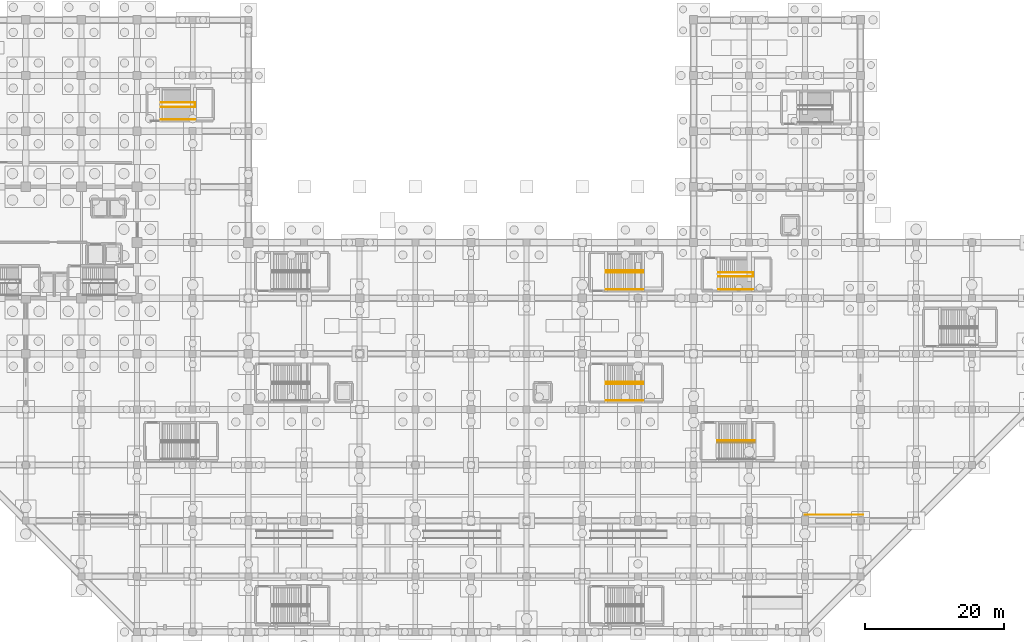
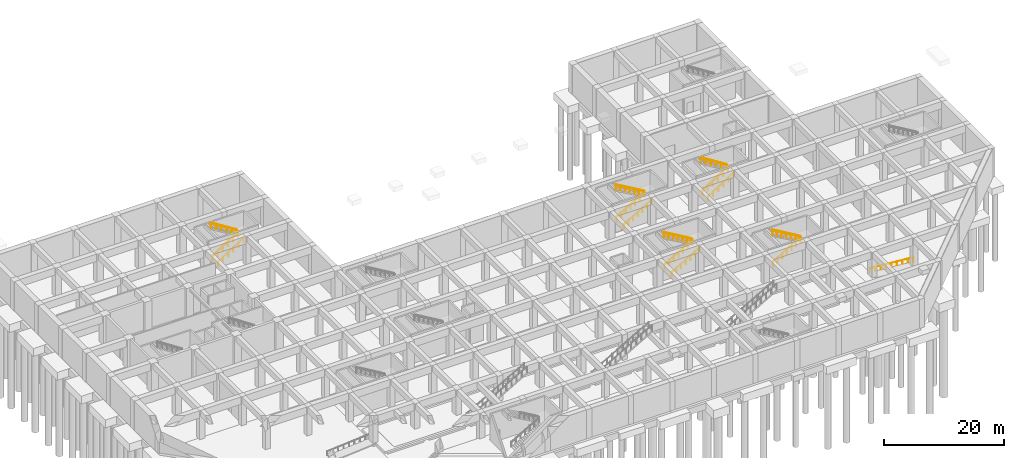
# One storey, part 24 of 26: 24 railings.
"""IFC4 building model written with IfcOpenShell, lengths in metres."""

from ifc_helpers import new_model, si_unit, direction, frame, origin, origin_2d, place, context, subcontext, project, spatial, circle, extrude, material, type_object, element, save


model = new_model("IFC4")

# Units and contexts
model_context = context("Model", 3, precision=1e-05, world=origin(), true_north=direction((0.0, 1.0)))
body_context = subcontext(model_context, "Body", "Model", "MODEL_VIEW")
ifc_project = project(units=[si_unit("LENGTHUNIT", "METRE"), si_unit("AREAUNIT", "SQUARE_METRE"), si_unit("VOLUMEUNIT", "CUBIC_METRE"), si_unit("PLANEANGLEUNIT", "RADIAN"), si_unit("MASSUNIT", "GRAM", prefix="KILO")], contexts=[model_context])

# Site, building, storey
site_placement = place(None, origin())
site = spatial("IfcSite", under=ifc_project, at=site_placement, CompositionType="ELEMENT")
building_placement = place(site_placement, origin())
building = spatial("IfcBuilding", under=site, at=building_placement, Name="Varnela Railside Interchange", CompositionType="ELEMENT")
storey_placement = place(building_placement, frame((0.0, 0.0, -12.60009765625)))
storey = spatial("IfcBuildingStorey", under=building, at=storey_placement, Name="B2", CompositionType="ELEMENT", Elevation=-12.60009765625)

# Railings
ifc_material = material(Name="Steel AR 350 (350 MPa)", Category="steel")
railing_type_1 = type_object("IfcRailingType", Name="Stair & Ramp Pitch Handrail HR-01", PredefinedType="HANDRAIL", material=ifc_material)
railing_1_placement = place(storey_placement, frame((119.60009765625, 57.10009765625, 0.0)))
element("IfcRailing", 1, at=railing_1_placement, inside=storey, type_object=railing_type_1, Name="Stair Handrail ST-E1 Flight 1 (RL-0043)", PredefinedType="HANDRAIL", context=body_context, shape_type="SweptSolid", body=[
    extrude(circle(Radius=0.02392578125, at=origin_2d()), frame((0.0, 0.0, 0.89599609375), z_axis=(0.842659969685, 0.0, 0.538446074821), x_axis=(0.0, 1.0, 0.0)), (0.0, 0.0, 1.0), 5.850341796875),
    extrude(circle(Radius=0.02099609375, at=origin_2d()), origin(), (0.0, 0.0, 1.0), 0.871826171875),
    extrude(circle(Radius=0.02099609375, at=origin_2d()), frame((0.986083984375, 0.0, 0.630126953125)), (0.0, 0.0, 1.0), 0.871826171875),
    extrude(circle(Radius=0.02099609375, at=origin_2d()), frame((1.971923828125, 0.0, 1.260009765625)), (0.0, 0.0, 1.0), 0.871826171875),
    extrude(circle(Radius=0.02099609375, at=origin_2d()), frame((2.9580078125, 0.0, 1.89013671875)), (0.0, 0.0, 1.0), 0.871826171875),
    extrude(circle(Radius=0.02099609375, at=origin_2d()), frame((3.94384765625, 0.0, 2.52001953125)), (0.0, 0.0, 1.0), 0.871826171875),
    extrude(circle(Radius=0.02099609375, at=origin_2d()), frame((4.929931640625, 0.0, 3.150146484375)), (0.0, 0.0, 1.0), 0.871826171875),
])
railing_2_placement = place(storey_placement, frame((124.530029296875, 57.699951171875, 3.150146484375)))
element("IfcRailing", 2, at=railing_2_placement, inside=storey, type_object=railing_type_1, Name="Stair Handrail ST-E1 Flight 2 (RL-0044)", PredefinedType="HANDRAIL", context=body_context, shape_type="SweptSolid", body=[
    extrude(circle(Radius=0.02392578125, at=origin_2d()), frame((0.0, 0.0, 0.89599609375), z_axis=(-0.842678903752, 0.0, 0.538416442144), x_axis=(0.0, -1.0, 0.0)), (0.0, 0.0, 1.0), 5.850341796875),
    extrude(circle(Radius=0.02099609375, at=origin_2d()), origin(), (0.0, 0.0, 1.0), 0.871826171875),
    extrude(circle(Radius=0.02099609375, at=origin_2d()), frame((-0.986083984375, 0.0, 0.6298828125)), (0.0, 0.0, 1.0), 0.871826171875),
    extrude(circle(Radius=0.02099609375, at=origin_2d()), frame((-1.971923828125, 0.0, 1.260009765625)), (0.0, 0.0, 1.0), 0.871826171875),
    extrude(circle(Radius=0.02099609375, at=origin_2d()), frame((-2.9580078125, 0.0, 1.889892578125)), (0.0, 0.0, 1.0), 0.871826171875),
    extrude(circle(Radius=0.02099609375, at=origin_2d()), frame((-3.94384765625, 0.0, 2.52001953125)), (0.0, 0.0, 1.0), 0.871826171875),
    extrude(circle(Radius=0.02099609375, at=origin_2d()), frame((-4.929931640625, 0.0, 3.14990234375)), (0.0, 0.0, 1.0), 0.871826171875),
])
railing_3_placement = place(storey_placement, frame((103.39990234375, 41.64990234375, 0.0)))
element("IfcRailing", 3, at=railing_3_placement, inside=storey, type_object=railing_type_1, Name="Stair Handrail ST-C2 Flight 1 (RL-0037)", PredefinedType="HANDRAIL", context=body_context, shape_type="SweptSolid", body=[
    extrude(circle(Radius=0.02392578125, at=origin_2d()), frame((0.0, 0.0, 0.89599609375), z_axis=(0.861923102912, 0.0, 0.507039016908), x_axis=(0.0, 1.0, 0.0)), (0.0, 0.0, 1.0), 6.212890625),
    extrude(circle(Radius=0.02099609375, at=origin_2d()), origin(), (0.0, 0.0, 1.0), 0.871826171875),
    extrude(circle(Radius=0.02099609375, at=origin_2d()), frame((0.892578125, 0.0, 0.52490234375)), (0.0, 0.0, 1.0), 0.871826171875),
    extrude(circle(Radius=0.02099609375, at=origin_2d()), frame((1.784912109375, 0.0, 1.050048828125)), (0.0, 0.0, 1.0), 0.871826171875),
    extrude(circle(Radius=0.02099609375, at=origin_2d()), frame((2.677490234375, 0.0, 1.5751953125)), (0.0, 0.0, 1.0), 0.871826171875),
    extrude(circle(Radius=0.02099609375, at=origin_2d()), frame((3.570068359375, 0.0, 2.10009765625)), (0.0, 0.0, 1.0), 0.871826171875),
    extrude(circle(Radius=0.02099609375, at=origin_2d()), frame((4.46240234375, 0.0, 2.625)), (0.0, 0.0, 1.0), 0.871826171875),
    extrude(circle(Radius=0.02099609375, at=origin_2d()), frame((5.35498046875, 0.0, 3.150146484375)), (0.0, 0.0, 1.0), 0.871826171875),
])
railing_4_placement = place(storey_placement, frame((108.7548828125, 41.949951171875, 3.150146484375)))
element("IfcRailing", 4, at=railing_4_placement, inside=storey, type_object=railing_type_1, Name="Stair Handrail ST-C2 Flight 2 (RL-0038)", PredefinedType="HANDRAIL", context=body_context, shape_type="SweptSolid", body=[
    extrude(circle(Radius=0.02392578125, at=origin_2d()), frame((0.0, 0.0, 0.89599609375), z_axis=(-0.861940276329, 0.0, 0.507009822431), x_axis=(0.0, -1.0, 0.0)), (0.0, 0.0, 1.0), 6.212646484375),
    extrude(circle(Radius=0.02099609375, at=origin_2d()), origin(), (0.0, 0.0, 1.0), 0.871826171875),
    extrude(circle(Radius=0.02099609375, at=origin_2d()), frame((-0.892578125, 0.0, 0.52490234375)), (0.0, 0.0, 1.0), 0.871826171875),
    extrude(circle(Radius=0.02099609375, at=origin_2d()), frame((-1.784912109375, 0.0, 1.050048828125)), (0.0, 0.0, 1.0), 0.871826171875),
    extrude(circle(Radius=0.02099609375, at=origin_2d()), frame((-2.677490234375, 0.0, 1.574951171875)), (0.0, 0.0, 1.0), 0.871826171875),
    extrude(circle(Radius=0.02099609375, at=origin_2d()), frame((-3.570068359375, 0.0, 2.099853515625)), (0.0, 0.0, 1.0), 0.871826171875),
    extrude(circle(Radius=0.02099609375, at=origin_2d()), frame((-4.46240234375, 0.0, 2.625)), (0.0, 0.0, 1.0), 0.871826171875),
    extrude(circle(Radius=0.02099609375, at=origin_2d()), frame((-5.35498046875, 0.0, 3.14990234375)), (0.0, 0.0, 1.0), 0.871826171875),
])
railing_5_placement = place(storey_placement, frame((103.39990234375, 57.64990234375, 0.0)))
element("IfcRailing", 5, at=railing_5_placement, inside=storey, type_object=railing_type_1, Name="Stair Handrail ST-C4 Flight 1 (RL-0041)", PredefinedType="HANDRAIL", context=body_context, shape_type="SweptSolid", body=[
    extrude(circle(Radius=0.02392578125, at=origin_2d()), frame((0.0, 0.0, 0.89599609375), z_axis=(0.861923102912, 0.0, 0.507039016908), x_axis=(0.0, 1.0, 0.0)), (0.0, 0.0, 1.0), 6.212890625),
    extrude(circle(Radius=0.02099609375, at=origin_2d()), origin(), (0.0, 0.0, 1.0), 0.871826171875),
    extrude(circle(Radius=0.02099609375, at=origin_2d()), frame((0.892578125, 0.0, 0.52490234375)), (0.0, 0.0, 1.0), 0.871826171875),
    extrude(circle(Radius=0.02099609375, at=origin_2d()), frame((1.784912109375, 0.0, 1.050048828125)), (0.0, 0.0, 1.0), 0.871826171875),
    extrude(circle(Radius=0.02099609375, at=origin_2d()), frame((2.677490234375, 0.0, 1.5751953125)), (0.0, 0.0, 1.0), 0.871826171875),
    extrude(circle(Radius=0.02099609375, at=origin_2d()), frame((3.570068359375, 0.0, 2.10009765625)), (0.0, 0.0, 1.0), 0.871826171875),
    extrude(circle(Radius=0.02099609375, at=origin_2d()), frame((4.46240234375, 0.0, 2.625)), (0.0, 0.0, 1.0), 0.871826171875),
    extrude(circle(Radius=0.02099609375, at=origin_2d()), frame((5.35498046875, 0.0, 3.150146484375)), (0.0, 0.0, 1.0), 0.871826171875),
])
for number, where, name in (
    (6, (108.7548828125, 57.949951171875, 3.150146484375), "Stair Handrail ST-C4 Flight 2 (RL-0042)"),
    (7, (124.7548828125, 33.550048828125, 3.150146484375), "Stair Handrail ST-M2 Flight 2 (RL-0052)"),
):
    element("IfcRailing", number, at=place(storey_placement, frame(where)), inside=storey, type_object=railing_type_1, Name=name, PredefinedType="HANDRAIL", context=body_context, shape_type="SweptSolid", body=[
        extrude(circle(Radius=0.02392578125, at=origin_2d()), frame((0.0, 0.0, 0.89599609375), z_axis=(-0.861940276329, 0.0, 0.507009822431), x_axis=(0.0, -1.0, 0.0)), (0.0, 0.0, 1.0), 6.212646484375),
        extrude(circle(Radius=0.02099609375, at=origin_2d()), origin(), (0.0, 0.0, 1.0), 0.871826171875),
        extrude(circle(Radius=0.02099609375, at=origin_2d()), frame((-0.892578125, 0.0, 0.52490234375)), (0.0, 0.0, 1.0), 0.871826171875),
        extrude(circle(Radius=0.02099609375, at=origin_2d()), frame((-1.784912109375, 0.0, 1.050048828125)), (0.0, 0.0, 1.0), 0.871826171875),
        extrude(circle(Radius=0.02099609375, at=origin_2d()), frame((-2.677490234375, 0.0, 1.574951171875)), (0.0, 0.0, 1.0), 0.871826171875),
        extrude(circle(Radius=0.02099609375, at=origin_2d()), frame((-3.570068359375, 0.0, 2.099853515625)), (0.0, 0.0, 1.0), 0.871826171875),
        extrude(circle(Radius=0.02099609375, at=origin_2d()), frame((-4.46240234375, 0.0, 2.625)), (0.0, 0.0, 1.0), 0.871826171875),
        extrude(circle(Radius=0.02099609375, at=origin_2d()), frame((-5.35498046875, 0.0, 3.14990234375)), (0.0, 0.0, 1.0), 0.871826171875),
    ])
railing_6_placement = place(storey_placement, frame((39.39990234375, 81.5, 0.0)))
element("IfcRailing", 8, at=railing_6_placement, inside=storey, type_object=railing_type_1, Name="Stair Handrail ST-W1 Flight 1 (RL-0061)", PredefinedType="HANDRAIL", context=body_context, shape_type="SweptSolid", body=[
    extrude(circle(Radius=0.02392578125, at=origin_2d()), frame((0.0, 0.0, 0.89599609375), z_axis=(0.84267206767, 0.0, 0.538427141188), x_axis=(0.0, 1.0, 0.0)), (0.0, 0.0, 1.0), 5.8505859375),
    extrude(circle(Radius=0.02099609375, at=origin_2d()), origin(), (0.0, 0.0, 1.0), 0.871826171875),
    extrude(circle(Radius=0.02099609375, at=origin_2d()), frame((0.986083984375, 0.0, 0.630126953125)), (0.0, 0.0, 1.0), 0.871826171875),
    extrude(circle(Radius=0.02099609375, at=origin_2d()), frame((1.97216796875, 0.0, 1.260009765625)), (0.0, 0.0, 1.0), 0.871826171875),
    extrude(circle(Radius=0.02099609375, at=origin_2d()), frame((2.9580078125, 0.0, 1.89013671875)), (0.0, 0.0, 1.0), 0.871826171875),
    extrude(circle(Radius=0.02099609375, at=origin_2d()), frame((3.944091796875, 0.0, 2.52001953125)), (0.0, 0.0, 1.0), 0.871826171875),
    extrude(circle(Radius=0.02099609375, at=origin_2d()), frame((4.93017578125, 0.0, 3.150146484375)), (0.0, 0.0, 1.0), 0.871826171875),
])
railing_7_placement = place(storey_placement, frame((44.330078125, 82.10009765625, 3.150146484375)))
element("IfcRailing", 9, at=railing_7_placement, inside=storey, type_object=railing_type_1, Name="Stair Handrail ST-W1 Flight 2 (RL-0062)", PredefinedType="HANDRAIL", context=body_context, shape_type="SweptSolid", body=[
    extrude(circle(Radius=0.02392578125, at=origin_2d()), frame((0.0, 0.0, 0.89599609375), z_axis=(-0.842691000677, 0.0, 0.538397508703), x_axis=(0.0, -1.0, 0.0)), (0.0, 0.0, 1.0), 5.8505859375),
    extrude(circle(Radius=0.02099609375, at=origin_2d()), origin(), (0.0, 0.0, 1.0), 0.871826171875),
    extrude(circle(Radius=0.02099609375, at=origin_2d()), frame((-0.986083984375, 0.0, 0.6298828125)), (0.0, 0.0, 1.0), 0.871826171875),
    extrude(circle(Radius=0.02099609375, at=origin_2d()), frame((-1.97216796875, 0.0, 1.260009765625)), (0.0, 0.0, 1.0), 0.871826171875),
    extrude(circle(Radius=0.02099609375, at=origin_2d()), frame((-2.9580078125, 0.0, 1.889892578125)), (0.0, 0.0, 1.0), 0.871826171875),
    extrude(circle(Radius=0.02099609375, at=origin_2d()), frame((-3.944091796875, 0.0, 2.52001953125)), (0.0, 0.0, 1.0), 0.871826171875),
    extrude(circle(Radius=0.02099609375, at=origin_2d()), frame((-4.93017578125, 0.0, 3.14990234375)), (0.0, 0.0, 1.0), 0.871826171875),
])
railing_8_placement = place(storey_placement, frame((140.39990234375, 22.85009765625, 0.0)))
element("IfcRailing", 10, at=railing_8_placement, inside=storey, type_object=railing_type_1, Name="Metro Platform Ramp Handrail pltI-E (RL-0063)", PredefinedType="HANDRAIL", context=body_context, shape_type="SweptSolid", body=[
    extrude(circle(Radius=0.02392578125, at=origin_2d()), frame((0.0, 0.0, 0.89599609375), z_axis=(-0.996543760423, 0.0, 0.083069450238), x_axis=(0.0, -1.0, 0.0)), (0.0, 0.0, 1.0), 8.428955078125),
    extrude(circle(Radius=0.02099609375, at=origin_2d()), origin(), (0.0, 0.0, 1.0), 0.871826171875),
    extrude(circle(Radius=0.02099609375, at=origin_2d()), frame((-1.050048828125, 0.0, 0.08740234375)), (0.0, 0.0, 1.0), 0.871826171875),
    extrude(circle(Radius=0.02099609375, at=origin_2d()), frame((-2.10009765625, 0.0, 0.175048828125)), (0.0, 0.0, 1.0), 0.871826171875),
    extrude(circle(Radius=0.02099609375, at=origin_2d()), frame((-3.14990234375, 0.0, 0.2626953125)), (0.0, 0.0, 1.0), 0.871826171875),
    extrude(circle(Radius=0.02099609375, at=origin_2d()), frame((-4.199951171875, 0.0, 0.35009765625)), (0.0, 0.0, 1.0), 0.871826171875),
    extrude(circle(Radius=0.02099609375, at=origin_2d()), frame((-5.25, 0.0, 0.4375)), (0.0, 0.0, 1.0), 0.871826171875),
    extrude(circle(Radius=0.02099609375, at=origin_2d()), frame((-6.2998046875, 0.0, 0.525146484375)), (0.0, 0.0, 1.0), 0.871826171875),
    extrude(circle(Radius=0.02099609375, at=origin_2d()), frame((-7.349853515625, 0.0, 0.61279296875)), (0.0, 0.0, 1.0), 0.871826171875),
    extrude(circle(Radius=0.02099609375, at=origin_2d()), frame((-8.39990234375, 0.0, 0.7001953125)), (0.0, 0.0, 1.0), 0.871826171875),
])
railing_type_2 = type_object("IfcRailingType", Name="Stair Well & Landing Guard GR-02", PredefinedType="GUARDRAIL", material=ifc_material)
railing_9_placement = place(storey_placement, frame((119.60009765625, 57.10009765625, 0.0)))
element("IfcRailing", 11, at=railing_9_placement, inside=storey, type_object=railing_type_2, Name="Stair Guard ST-E1 Half-Landing (RL-0009)", PredefinedType="GUARDRAIL", context=body_context, shape_type="SweptSolid", body=[
    extrude(circle(Radius=0.02392578125, at=origin_2d()), frame((0.0, 0.0, 1.09619140625), z_axis=(0.842659969685, 0.0, 0.538446074821), x_axis=(0.0, 1.0, 0.0)), (0.0, 0.0, 1.0), 5.850341796875),
    extrude(circle(Radius=0.02392578125, at=origin_2d()), frame((4.929931640625, 0.0, 4.24609375), z_axis=(0.0, 1.0, 0.0), x_axis=(-1.0, 0.0, 0.0)), (0.0, 0.0, 1.0), 0.599853515625),
    extrude(circle(Radius=0.02099609375, at=origin_2d()), origin(), (0.0, 0.0, 1.0), 1.072021484375),
    extrude(circle(Radius=0.02099609375, at=origin_2d()), frame((0.986083984375, 0.0, 0.630126953125)), (0.0, 0.0, 1.0), 1.072021484375),
    extrude(circle(Radius=0.02099609375, at=origin_2d()), frame((1.971923828125, 0.0, 1.260009765625)), (0.0, 0.0, 1.0), 1.072021484375),
    extrude(circle(Radius=0.02099609375, at=origin_2d()), frame((2.9580078125, 0.0, 1.89013671875)), (0.0, 0.0, 1.0), 1.072021484375),
    extrude(circle(Radius=0.02099609375, at=origin_2d()), frame((3.94384765625, 0.0, 2.52001953125)), (0.0, 0.0, 1.0), 1.072021484375),
    extrude(circle(Radius=0.02099609375, at=origin_2d()), frame((4.929931640625, 0.0, 3.150146484375)), (0.0, 0.0, 1.0), 1.072021484375),
    extrude(circle(Radius=0.02099609375, at=origin_2d()), frame((4.929931640625, 0.599853515625, 3.150146484375)), (0.0, 0.0, 1.0), 1.072021484375),
])
railing_10_placement = place(storey_placement, frame((124.530029296875, 57.699951171875, 3.150146484375)))
element("IfcRailing", 12, at=railing_10_placement, inside=storey, type_object=railing_type_2, Name="Stair Guard ST-E1 Upper Flight (RL-0010)", PredefinedType="GUARDRAIL", context=body_context, shape_type="SweptSolid", body=[
    extrude(circle(Radius=0.02392578125, at=origin_2d()), frame((0.0, 0.0, 1.09619140625), z_axis=(-0.842678903752, 0.0, 0.538416442144), x_axis=(0.0, -1.0, 0.0)), (0.0, 0.0, 1.0), 5.850341796875),
    extrude(circle(Radius=0.02099609375, at=origin_2d()), origin(), (0.0, 0.0, 1.0), 1.072021484375),
    extrude(circle(Radius=0.02099609375, at=origin_2d()), frame((-0.986083984375, 0.0, 0.6298828125)), (0.0, 0.0, 1.0), 1.072021484375),
    extrude(circle(Radius=0.02099609375, at=origin_2d()), frame((-1.971923828125, 0.0, 1.260009765625)), (0.0, 0.0, 1.0), 1.072021484375),
    extrude(circle(Radius=0.02099609375, at=origin_2d()), frame((-2.9580078125, 0.0, 1.889892578125)), (0.0, 0.0, 1.0), 1.072021484375),
    extrude(circle(Radius=0.02099609375, at=origin_2d()), frame((-3.94384765625, 0.0, 2.52001953125)), (0.0, 0.0, 1.0), 1.072021484375),
    extrude(circle(Radius=0.02099609375, at=origin_2d()), frame((-4.929931640625, 0.0, 3.14990234375)), (0.0, 0.0, 1.0), 1.072021484375),
])
railing_11_placement = place(storey_placement, frame((103.39990234375, 41.64990234375, 0.0)))
element("IfcRailing", 13, at=railing_11_placement, inside=storey, type_object=railing_type_2, Name="Stair Guard ST-C2 Half-Landing (RL-0003)", PredefinedType="GUARDRAIL", context=body_context, shape_type="SweptSolid", body=[
    extrude(circle(Radius=0.02392578125, at=origin_2d()), frame((0.0, 0.0, 1.09619140625), z_axis=(0.861923102912, 0.0, 0.507039016908), x_axis=(0.0, 1.0, 0.0)), (0.0, 0.0, 1.0), 6.212890625),
    extrude(circle(Radius=0.02392578125, at=origin_2d()), frame((5.35498046875, 0.0, 4.24609375), z_axis=(0.0, 1.0, 0.0), x_axis=(-1.0, 0.0, 0.0)), (0.0, 0.0, 1.0), 0.300048828125),
    extrude(circle(Radius=0.02099609375, at=origin_2d()), origin(), (0.0, 0.0, 1.0), 1.072021484375),
    extrude(circle(Radius=0.02099609375, at=origin_2d()), frame((0.892578125, 0.0, 0.52490234375)), (0.0, 0.0, 1.0), 1.072021484375),
    extrude(circle(Radius=0.02099609375, at=origin_2d()), frame((1.784912109375, 0.0, 1.050048828125)), (0.0, 0.0, 1.0), 1.072021484375),
    extrude(circle(Radius=0.02099609375, at=origin_2d()), frame((2.677490234375, 0.0, 1.5751953125)), (0.0, 0.0, 1.0), 1.072021484375),
    extrude(circle(Radius=0.02099609375, at=origin_2d()), frame((3.570068359375, 0.0, 2.10009765625)), (0.0, 0.0, 1.0), 1.072021484375),
    extrude(circle(Radius=0.02099609375, at=origin_2d()), frame((4.46240234375, 0.0, 2.625)), (0.0, 0.0, 1.0), 1.072021484375),
    extrude(circle(Radius=0.02099609375, at=origin_2d()), frame((5.35498046875, 0.0, 3.150146484375)), (0.0, 0.0, 1.0), 1.072021484375),
    extrude(circle(Radius=0.02099609375, at=origin_2d()), frame((5.35498046875, 0.300048828125, 3.150146484375)), (0.0, 0.0, 1.0), 1.072021484375),
])
railing_12_placement = place(storey_placement, frame((108.7548828125, 41.949951171875, 3.150146484375)))
element("IfcRailing", 14, at=railing_12_placement, inside=storey, type_object=railing_type_2, Name="Stair Guard ST-C2 Upper Flight (RL-0004)", PredefinedType="GUARDRAIL", context=body_context, shape_type="SweptSolid", body=[
    extrude(circle(Radius=0.02392578125, at=origin_2d()), frame((0.0, 0.0, 1.09619140625), z_axis=(-0.861940276329, 0.0, 0.507009822431), x_axis=(0.0, -1.0, 0.0)), (0.0, 0.0, 1.0), 6.212646484375),
    extrude(circle(Radius=0.02099609375, at=origin_2d()), origin(), (0.0, 0.0, 1.0), 1.072021484375),
    extrude(circle(Radius=0.02099609375, at=origin_2d()), frame((-0.892578125, 0.0, 0.52490234375)), (0.0, 0.0, 1.0), 1.072021484375),
    extrude(circle(Radius=0.02099609375, at=origin_2d()), frame((-1.784912109375, 0.0, 1.050048828125)), (0.0, 0.0, 1.0), 1.072021484375),
    extrude(circle(Radius=0.02099609375, at=origin_2d()), frame((-2.677490234375, 0.0, 1.574951171875)), (0.0, 0.0, 1.0), 1.072021484375),
    extrude(circle(Radius=0.02099609375, at=origin_2d()), frame((-3.570068359375, 0.0, 2.099853515625)), (0.0, 0.0, 1.0), 1.072021484375),
    extrude(circle(Radius=0.02099609375, at=origin_2d()), frame((-4.46240234375, 0.0, 2.625)), (0.0, 0.0, 1.0), 1.072021484375),
    extrude(circle(Radius=0.02099609375, at=origin_2d()), frame((-5.35498046875, 0.0, 3.14990234375)), (0.0, 0.0, 1.0), 1.072021484375),
])
railing_13_placement = place(storey_placement, frame((103.39990234375, 57.64990234375, 0.0)))
element("IfcRailing", 15, at=railing_13_placement, inside=storey, type_object=railing_type_2, Name="Stair Guard ST-C4 Half-Landing (RL-0007)", PredefinedType="GUARDRAIL", context=body_context, shape_type="SweptSolid", body=[
    extrude(circle(Radius=0.02392578125, at=origin_2d()), frame((0.0, 0.0, 1.09619140625), z_axis=(0.861923102912, 0.0, 0.507039016908), x_axis=(0.0, 1.0, 0.0)), (0.0, 0.0, 1.0), 6.212890625),
    extrude(circle(Radius=0.02392578125, at=origin_2d()), frame((5.35498046875, 0.0, 4.24609375), z_axis=(0.0, 1.0, 0.0), x_axis=(-1.0, 0.0, 0.0)), (0.0, 0.0, 1.0), 0.300048828125),
    extrude(circle(Radius=0.02099609375, at=origin_2d()), origin(), (0.0, 0.0, 1.0), 1.072021484375),
    extrude(circle(Radius=0.02099609375, at=origin_2d()), frame((0.892578125, 0.0, 0.52490234375)), (0.0, 0.0, 1.0), 1.072021484375),
    extrude(circle(Radius=0.02099609375, at=origin_2d()), frame((1.784912109375, 0.0, 1.050048828125)), (0.0, 0.0, 1.0), 1.072021484375),
    extrude(circle(Radius=0.02099609375, at=origin_2d()), frame((2.677490234375, 0.0, 1.5751953125)), (0.0, 0.0, 1.0), 1.072021484375),
    extrude(circle(Radius=0.02099609375, at=origin_2d()), frame((3.570068359375, 0.0, 2.10009765625)), (0.0, 0.0, 1.0), 1.072021484375),
    extrude(circle(Radius=0.02099609375, at=origin_2d()), frame((4.46240234375, 0.0, 2.625)), (0.0, 0.0, 1.0), 1.072021484375),
    extrude(circle(Radius=0.02099609375, at=origin_2d()), frame((5.35498046875, 0.0, 3.150146484375)), (0.0, 0.0, 1.0), 1.072021484375),
    extrude(circle(Radius=0.02099609375, at=origin_2d()), frame((5.35498046875, 0.300048828125, 3.150146484375)), (0.0, 0.0, 1.0), 1.072021484375),
])
railing_14_placement = place(storey_placement, frame((108.7548828125, 57.949951171875, 3.150146484375)))
element("IfcRailing", 16, at=railing_14_placement, inside=storey, type_object=railing_type_2, Name="Stair Guard ST-C4 Upper Flight (RL-0008)", PredefinedType="GUARDRAIL", context=body_context, shape_type="SweptSolid", body=[
    extrude(circle(Radius=0.02392578125, at=origin_2d()), frame((0.0, 0.0, 1.09619140625), z_axis=(-0.861940276329, 0.0, 0.507009822431), x_axis=(0.0, -1.0, 0.0)), (0.0, 0.0, 1.0), 6.212646484375),
    extrude(circle(Radius=0.02099609375, at=origin_2d()), origin(), (0.0, 0.0, 1.0), 1.072021484375),
    extrude(circle(Radius=0.02099609375, at=origin_2d()), frame((-0.892578125, 0.0, 0.52490234375)), (0.0, 0.0, 1.0), 1.072021484375),
    extrude(circle(Radius=0.02099609375, at=origin_2d()), frame((-1.784912109375, 0.0, 1.050048828125)), (0.0, 0.0, 1.0), 1.072021484375),
    extrude(circle(Radius=0.02099609375, at=origin_2d()), frame((-2.677490234375, 0.0, 1.574951171875)), (0.0, 0.0, 1.0), 1.072021484375),
    extrude(circle(Radius=0.02099609375, at=origin_2d()), frame((-3.570068359375, 0.0, 2.099853515625)), (0.0, 0.0, 1.0), 1.072021484375),
    extrude(circle(Radius=0.02099609375, at=origin_2d()), frame((-4.46240234375, 0.0, 2.625)), (0.0, 0.0, 1.0), 1.072021484375),
    extrude(circle(Radius=0.02099609375, at=origin_2d()), frame((-5.35498046875, 0.0, 3.14990234375)), (0.0, 0.0, 1.0), 1.072021484375),
])
railing_15_placement = place(storey_placement, frame((119.39990234375, 33.25, 0.0)))
element("IfcRailing", 17, at=railing_15_placement, inside=storey, type_object=railing_type_2, Name="Stair Guard ST-M2 Half-Landing (RL-0017)", PredefinedType="GUARDRAIL", context=body_context, shape_type="SweptSolid", body=[
    extrude(circle(Radius=0.02392578125, at=origin_2d()), frame((0.0, 0.0, 1.09619140625), z_axis=(0.861923102912, 0.0, 0.507039016908), x_axis=(0.0, 1.0, 0.0)), (0.0, 0.0, 1.0), 6.212890625),
    extrude(circle(Radius=0.02392578125, at=origin_2d()), frame((5.35498046875, 0.0, 4.24609375), z_axis=(0.0, 1.0, 0.0), x_axis=(-1.0, 0.0, 0.0)), (0.0, 0.0, 1.0), 0.300048828125),
    extrude(circle(Radius=0.02099609375, at=origin_2d()), origin(), (0.0, 0.0, 1.0), 1.072021484375),
    extrude(circle(Radius=0.02099609375, at=origin_2d()), frame((0.892578125, 0.0, 0.52490234375)), (0.0, 0.0, 1.0), 1.072021484375),
    extrude(circle(Radius=0.02099609375, at=origin_2d()), frame((1.784912109375, 0.0, 1.050048828125)), (0.0, 0.0, 1.0), 1.072021484375),
    extrude(circle(Radius=0.02099609375, at=origin_2d()), frame((2.677490234375, 0.0, 1.5751953125)), (0.0, 0.0, 1.0), 1.072021484375),
    extrude(circle(Radius=0.02099609375, at=origin_2d()), frame((3.570068359375, 0.0, 2.10009765625)), (0.0, 0.0, 1.0), 1.072021484375),
    extrude(circle(Radius=0.02099609375, at=origin_2d()), frame((4.46240234375, 0.0, 2.625)), (0.0, 0.0, 1.0), 1.072021484375),
    extrude(circle(Radius=0.02099609375, at=origin_2d()), frame((5.35498046875, 0.0, 3.150146484375)), (0.0, 0.0, 1.0), 1.072021484375),
    extrude(circle(Radius=0.02099609375, at=origin_2d()), frame((5.35498046875, 0.300048828125, 3.150146484375)), (0.0, 0.0, 1.0), 1.072021484375),
])
railing_16_placement = place(storey_placement, frame((124.7548828125, 33.550048828125, 3.150146484375)))
element("IfcRailing", 18, at=railing_16_placement, inside=storey, type_object=railing_type_2, Name="Stair Guard ST-M2 Upper Flight (RL-0018)", PredefinedType="GUARDRAIL", context=body_context, shape_type="SweptSolid", body=[
    extrude(circle(Radius=0.02392578125, at=origin_2d()), frame((0.0, 0.0, 1.09619140625), z_axis=(-0.861940276329, 0.0, 0.507009822431), x_axis=(0.0, -1.0, 0.0)), (0.0, 0.0, 1.0), 6.212646484375),
    extrude(circle(Radius=0.02099609375, at=origin_2d()), origin(), (0.0, 0.0, 1.0), 1.072021484375),
    extrude(circle(Radius=0.02099609375, at=origin_2d()), frame((-0.892578125, 0.0, 0.52490234375)), (0.0, 0.0, 1.0), 1.072021484375),
    extrude(circle(Radius=0.02099609375, at=origin_2d()), frame((-1.784912109375, 0.0, 1.050048828125)), (0.0, 0.0, 1.0), 1.072021484375),
    extrude(circle(Radius=0.02099609375, at=origin_2d()), frame((-2.677490234375, 0.0, 1.574951171875)), (0.0, 0.0, 1.0), 1.072021484375),
    extrude(circle(Radius=0.02099609375, at=origin_2d()), frame((-3.570068359375, 0.0, 2.099853515625)), (0.0, 0.0, 1.0), 1.072021484375),
    extrude(circle(Radius=0.02099609375, at=origin_2d()), frame((-4.46240234375, 0.0, 2.625)), (0.0, 0.0, 1.0), 1.072021484375),
    extrude(circle(Radius=0.02099609375, at=origin_2d()), frame((-5.35498046875, 0.0, 3.14990234375)), (0.0, 0.0, 1.0), 1.072021484375),
])
railing_17_placement = place(storey_placement, frame((39.39990234375, 81.5, 0.0)))
element("IfcRailing", 19, at=railing_17_placement, inside=storey, type_object=railing_type_2, Name="Stair Guard ST-W1 Half-Landing (RL-0027)", PredefinedType="GUARDRAIL", context=body_context, shape_type="SweptSolid", body=[
    extrude(circle(Radius=0.02392578125, at=origin_2d()), frame((0.0, 0.0, 1.09619140625), z_axis=(0.84267206767, 0.0, 0.538427141188), x_axis=(0.0, 1.0, 0.0)), (0.0, 0.0, 1.0), 5.8505859375),
    extrude(circle(Radius=0.02392578125, at=origin_2d()), frame((4.93017578125, 0.0, 4.24609375), z_axis=(0.0, 1.0, 0.0), x_axis=(-1.0, 0.0, 0.0)), (0.0, 0.0, 1.0), 0.60009765625),
    extrude(circle(Radius=0.02099609375, at=origin_2d()), origin(), (0.0, 0.0, 1.0), 1.072021484375),
    extrude(circle(Radius=0.02099609375, at=origin_2d()), frame((0.986083984375, 0.0, 0.630126953125)), (0.0, 0.0, 1.0), 1.072021484375),
    extrude(circle(Radius=0.02099609375, at=origin_2d()), frame((1.97216796875, 0.0, 1.260009765625)), (0.0, 0.0, 1.0), 1.072021484375),
    extrude(circle(Radius=0.02099609375, at=origin_2d()), frame((2.9580078125, 0.0, 1.89013671875)), (0.0, 0.0, 1.0), 1.072021484375),
    extrude(circle(Radius=0.02099609375, at=origin_2d()), frame((3.944091796875, 0.0, 2.52001953125)), (0.0, 0.0, 1.0), 1.072021484375),
    extrude(circle(Radius=0.02099609375, at=origin_2d()), frame((4.93017578125, 0.0, 3.150146484375)), (0.0, 0.0, 1.0), 1.072021484375),
    extrude(circle(Radius=0.02099609375, at=origin_2d()), frame((4.93017578125, 0.60009765625, 3.150146484375)), (0.0, 0.0, 1.0), 1.072021484375),
])
railing_18_placement = place(storey_placement, frame((44.330078125, 82.10009765625, 3.150146484375)))
element("IfcRailing", 20, at=railing_18_placement, inside=storey, type_object=railing_type_2, Name="Stair Guard ST-W1 Upper Flight (RL-0028)", PredefinedType="GUARDRAIL", context=body_context, shape_type="SweptSolid", body=[
    extrude(circle(Radius=0.02392578125, at=origin_2d()), frame((0.0, 0.0, 1.09619140625), z_axis=(-0.842691000677, 0.0, 0.538397508703), x_axis=(0.0, -1.0, 0.0)), (0.0, 0.0, 1.0), 5.8505859375),
    extrude(circle(Radius=0.02099609375, at=origin_2d()), origin(), (0.0, 0.0, 1.0), 1.072021484375),
    extrude(circle(Radius=0.02099609375, at=origin_2d()), frame((-0.986083984375, 0.0, 0.6298828125)), (0.0, 0.0, 1.0), 1.072021484375),
    extrude(circle(Radius=0.02099609375, at=origin_2d()), frame((-1.97216796875, 0.0, 1.260009765625)), (0.0, 0.0, 1.0), 1.072021484375),
    extrude(circle(Radius=0.02099609375, at=origin_2d()), frame((-2.9580078125, 0.0, 1.889892578125)), (0.0, 0.0, 1.0), 1.072021484375),
    extrude(circle(Radius=0.02099609375, at=origin_2d()), frame((-3.944091796875, 0.0, 2.52001953125)), (0.0, 0.0, 1.0), 1.072021484375),
    extrude(circle(Radius=0.02099609375, at=origin_2d()), frame((-4.93017578125, 0.0, 3.14990234375)), (0.0, 0.0, 1.0), 1.072021484375),
])
railing_type_3 = type_object("IfcRailingType", Name="Wall-Mounted Stair Handrail HR-02", PredefinedType="HANDRAIL", material=ifc_material)
railing_19_placement = place(storey_placement, frame((119.60009765625, 55.260009765625, 0.0)))
element("IfcRailing", 21, at=railing_19_placement, inside=storey, type_object=railing_type_3, Name="Wall Handrail ST-E1 Flight 1 (RL-0070)", PredefinedType="HANDRAIL", context=body_context, shape_type="SweptSolid", body=[
    extrude(circle(Radius=0.02392578125, at=origin_2d()), frame((0.0, 0.0, 0.89599609375), z_axis=(0.842659969685, 0.0, 0.538446074821), x_axis=(0.0, 1.0, 0.0)), (0.0, 0.0, 1.0), 5.850341796875),
    extrude(circle(Radius=0.02099609375, at=origin_2d()), origin(), (0.0, 0.0, 1.0), 0.871826171875),
    extrude(circle(Radius=0.02099609375, at=origin_2d()), frame((0.986083984375, 0.0, 0.630126953125)), (0.0, 0.0, 1.0), 0.871826171875),
    extrude(circle(Radius=0.02099609375, at=origin_2d()), frame((1.971923828125, 0.0, 1.260009765625)), (0.0, 0.0, 1.0), 0.871826171875),
    extrude(circle(Radius=0.02099609375, at=origin_2d()), frame((2.9580078125, 0.0, 1.89013671875)), (0.0, 0.0, 1.0), 0.871826171875),
    extrude(circle(Radius=0.02099609375, at=origin_2d()), frame((3.94384765625, 0.0, 2.52001953125)), (0.0, 0.0, 1.0), 0.871826171875),
    extrude(circle(Radius=0.02099609375, at=origin_2d()), frame((4.929931640625, 0.0, 3.150146484375)), (0.0, 0.0, 1.0), 0.871826171875),
])
for number, where, name in (
    (22, (103.39990234375, 39.260009765625, 0.0), "Wall Handrail ST-C2 Flight 1 (RL-0067)"),
    (23, (103.39990234375, 55.260009765625, 0.0), "Wall Handrail ST-C4 Flight 1 (RL-0069)"),
):
    element("IfcRailing", number, at=place(storey_placement, frame(where)), inside=storey, type_object=railing_type_3, Name=name, PredefinedType="HANDRAIL", context=body_context, shape_type="SweptSolid", body=[
        extrude(circle(Radius=0.02392578125, at=origin_2d()), frame((0.0, 0.0, 0.89599609375), z_axis=(0.861923102912, 0.0, 0.507039016908), x_axis=(0.0, 1.0, 0.0)), (0.0, 0.0, 1.0), 6.212890625),
        extrude(circle(Radius=0.02099609375, at=origin_2d()), origin(), (0.0, 0.0, 1.0), 0.871826171875),
        extrude(circle(Radius=0.02099609375, at=origin_2d()), frame((0.892578125, 0.0, 0.52490234375)), (0.0, 0.0, 1.0), 0.871826171875),
        extrude(circle(Radius=0.02099609375, at=origin_2d()), frame((1.784912109375, 0.0, 1.050048828125)), (0.0, 0.0, 1.0), 0.871826171875),
        extrude(circle(Radius=0.02099609375, at=origin_2d()), frame((2.677490234375, 0.0, 1.5751953125)), (0.0, 0.0, 1.0), 0.871826171875),
        extrude(circle(Radius=0.02099609375, at=origin_2d()), frame((3.570068359375, 0.0, 2.10009765625)), (0.0, 0.0, 1.0), 0.871826171875),
        extrude(circle(Radius=0.02099609375, at=origin_2d()), frame((4.46240234375, 0.0, 2.625)), (0.0, 0.0, 1.0), 0.871826171875),
        extrude(circle(Radius=0.02099609375, at=origin_2d()), frame((5.35498046875, 0.0, 3.150146484375)), (0.0, 0.0, 1.0), 0.871826171875),
    ])
railing_20_placement = place(storey_placement, frame((39.39990234375, 79.659912109375, 0.0)))
element("IfcRailing", 24, at=railing_20_placement, inside=storey, type_object=railing_type_3, Name="Wall Handrail ST-W1 Flight 1 (RL-0079)", PredefinedType="HANDRAIL", context=body_context, shape_type="SweptSolid", body=[
    extrude(circle(Radius=0.02392578125, at=origin_2d()), frame((0.0, 0.0, 0.89599609375), z_axis=(0.84267206767, 0.0, 0.538427141188), x_axis=(0.0, 1.0, 0.0)), (0.0, 0.0, 1.0), 5.8505859375),
    extrude(circle(Radius=0.02099609375, at=origin_2d()), origin(), (0.0, 0.0, 1.0), 0.871826171875),
    extrude(circle(Radius=0.02099609375, at=origin_2d()), frame((0.986083984375, 0.0, 0.630126953125)), (0.0, 0.0, 1.0), 0.871826171875),
    extrude(circle(Radius=0.02099609375, at=origin_2d()), frame((1.97216796875, 0.0, 1.260009765625)), (0.0, 0.0, 1.0), 0.871826171875),
    extrude(circle(Radius=0.02099609375, at=origin_2d()), frame((2.9580078125, 0.0, 1.89013671875)), (0.0, 0.0, 1.0), 0.871826171875),
    extrude(circle(Radius=0.02099609375, at=origin_2d()), frame((3.944091796875, 0.0, 2.52001953125)), (0.0, 0.0, 1.0), 0.871826171875),
    extrude(circle(Radius=0.02099609375, at=origin_2d()), frame((4.93017578125, 0.0, 3.150146484375)), (0.0, 0.0, 1.0), 0.871826171875),
])

save(model, "model.ifc")
